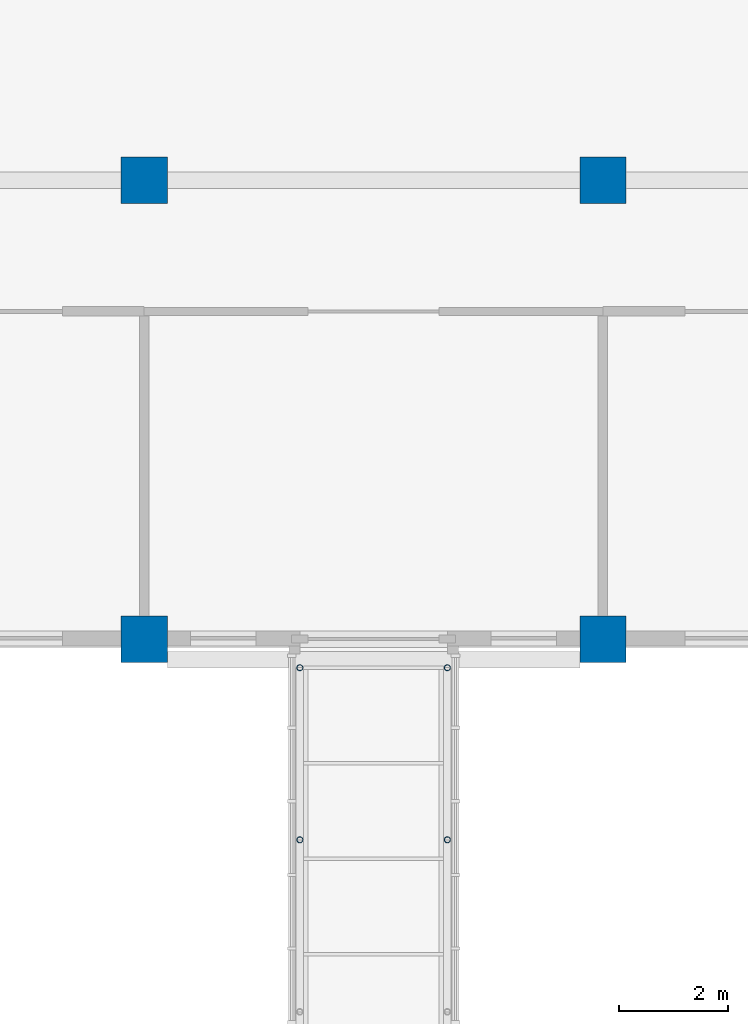
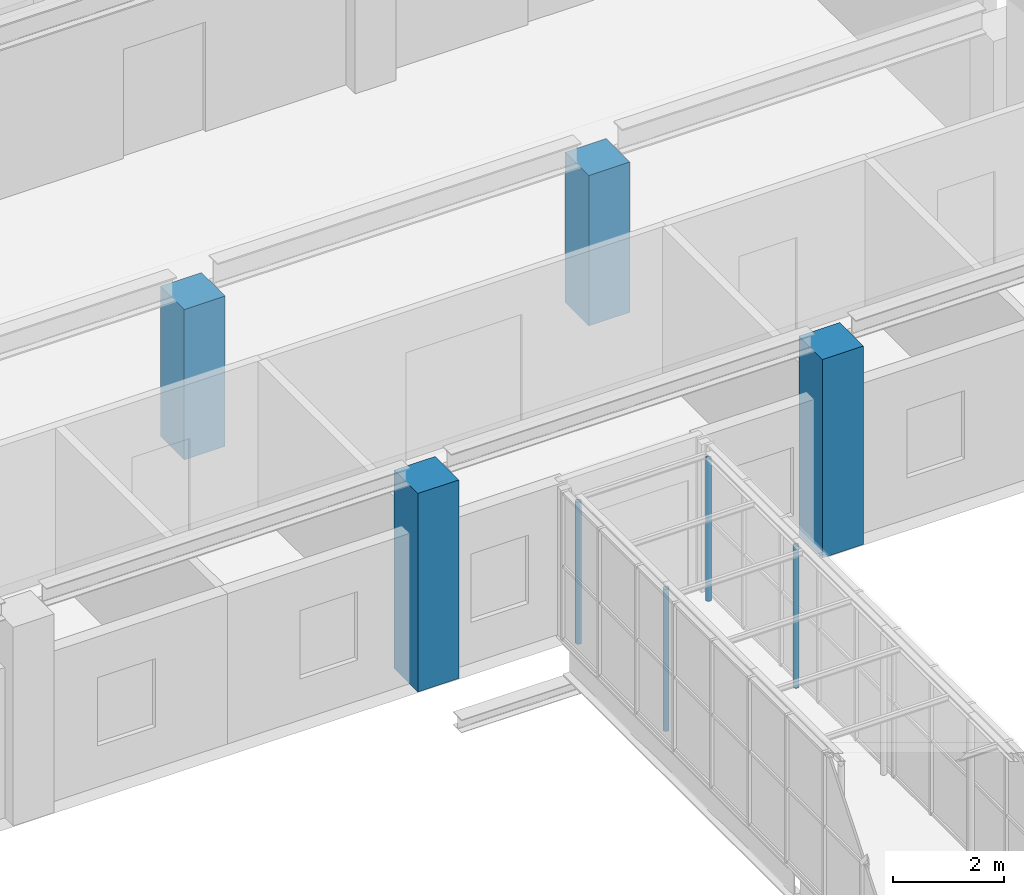
# One storey, part 4 of 94: 8 columns.
"""IFC4 building model written with IfcOpenShell, lengths in metres."""

from ifc_helpers import new_model, si_unit, direction, frame, origin, origin_2d, place, context, subcontext, project, spatial, rectangle, hollow_circle, extrude, material, material_profile, profile_set, type_object, element, save


model = new_model("IFC4")

# Units and contexts
model_context = context("Model", 3, precision=1e-05, world=origin(), true_north=direction((0.0, 1.0)))
body_context = subcontext(model_context, "Body", "Model", "MODEL_VIEW")
ifc_project = project(units=[si_unit("LENGTHUNIT", "METRE"), si_unit("AREAUNIT", "SQUARE_METRE"), si_unit("VOLUMEUNIT", "CUBIC_METRE"), si_unit("PLANEANGLEUNIT", "RADIAN"), si_unit("MASSUNIT", "GRAM", prefix="KILO")], contexts=[model_context])

# Site, building, storey
site_placement = place(None, origin())
site = spatial("IfcSite", under=ifc_project, at=site_placement, CompositionType="ELEMENT")
building_placement = place(site_placement, origin())
building = spatial("IfcBuilding", under=site, at=building_placement, Name="Yavir Park General Hospital", CompositionType="ELEMENT")
storey_placement = place(building_placement, frame((0.0, 0.0, 4.5)))
storey = spatial("IfcBuildingStorey", under=building, at=storey_placement, Name="L01", CompositionType="ELEMENT", Elevation=4.5)

# Columns
ifc_material_1 = material(Name="Steel S355", Category="steel")
ifc_material_profile_1 = material_profile(ifc_material_1, hollow_circle(Radius=0.05712890625, WallThickness=0.00634765625, at=origin_2d()), Name="CHS114.3x6.3")
ifc_profile_set_1 = profile_set([ifc_material_profile_1], Name="Steel S355")
column_type_1 = type_object("IfcColumnType", Name="CHS 114.3x6.3 roof post", PredefinedType="COLUMN", material=ifc_profile_set_1)
for number, where, z_axis, x_axis, name in (
    (1, (53.25, 46.72509765625, 0.0), (0.0, 0.0, 1.0), (1.0, 0.0, 0.0), "RF:BRS:frame:P:4"),
    (2, (53.25, 49.875, 0.0), (0.0, 0.0, 1.0), (1.0, 0.0, 0.0), "RF:BRS:frame:P:5"),
    (3, (55.949951171875, 46.72509765625, 0.0), (0.0, 0.0, 1.0), (1.0, 0.0, 0.0), "RF:BRS:frame:P:10"),
    (4, (55.949951171875, 49.875, 0.0), (0.0, 0.0, 1.0), (1.0, 0.0, 0.0), "RF:BRS:frame:P:11"),
):
    element("IfcColumn", number, at=place(storey_placement, frame(where, z_axis=z_axis, x_axis=x_axis)), inside=storey, type_object=column_type_1, Name=name, PredefinedType="COLUMN", context=body_context, shape_type="SweptSolid", body=[
        extrude(hollow_circle(Radius=0.05712890625, WallThickness=0.00634765625, at=origin_2d()), origin(), (0.0, 0.0, 1.0), 3.116943359375),
    ])
ifc_material_2 = material(Name="Concrete C40/50", Category="concrete")
ifc_material_profile_2 = material_profile(ifc_material_2, rectangle(XDim=0.85009765625, YDim=0.85009765625, at=origin_2d()), Name="RC850x850")
ifc_profile_set_2 = profile_set([ifc_material_profile_2], Name="Concrete C40/50")
column_type_2 = type_object("IfcColumnType", Name="RC COLUMN 850x850", PredefinedType="COLUMN", material=ifc_profile_set_2)
for number, where, z_axis, x_axis, name in (
    (5, (50.39990234375, 50.39990234375, 0.0), (0.0, 0.0, 1.0), (1.0, 0.0, 0.0), "C:L01:7G"),
    (6, (58.800048828125, 50.39990234375, 0.0), (0.0, 0.0, 1.0), (1.0, 0.0, 0.0), "C:L01:8G"),
):
    element("IfcColumn", number, at=place(storey_placement, frame(where, z_axis=z_axis, x_axis=x_axis)), inside=storey, type_object=column_type_2, Name=name, PredefinedType="COLUMN", context=body_context, shape_type="SweptSolid", body=[
        extrude(rectangle(XDim=0.85009765625, YDim=0.85009765625, at=origin_2d()), origin(), (0.0, 0.0, 1.0), 4.35791015625),
    ])
for number, where, z_axis, x_axis, name in (
    (7, (50.39990234375, 58.800048828125, 0.0), (0.0, 0.0, 1.0), (1.0, 0.0, 0.0), "C:L01:7H"),
    (8, (58.800048828125, 58.800048828125, 0.0), (0.0, 0.0, 1.0), (1.0, 0.0, 0.0), "C:L01:8H"),
):
    element("IfcColumn", number, at=place(storey_placement, frame(where, z_axis=z_axis, x_axis=x_axis)), inside=storey, type_object=column_type_2, Name=name, PredefinedType="COLUMN", context=body_context, shape_type="SweptSolid", body=[
        extrude(rectangle(XDim=0.85009765625, YDim=0.85009765625, at=origin_2d()), origin(), (0.0, 0.0, 1.0), 3.300048828125),
    ])

save(model, "model.ifc")
